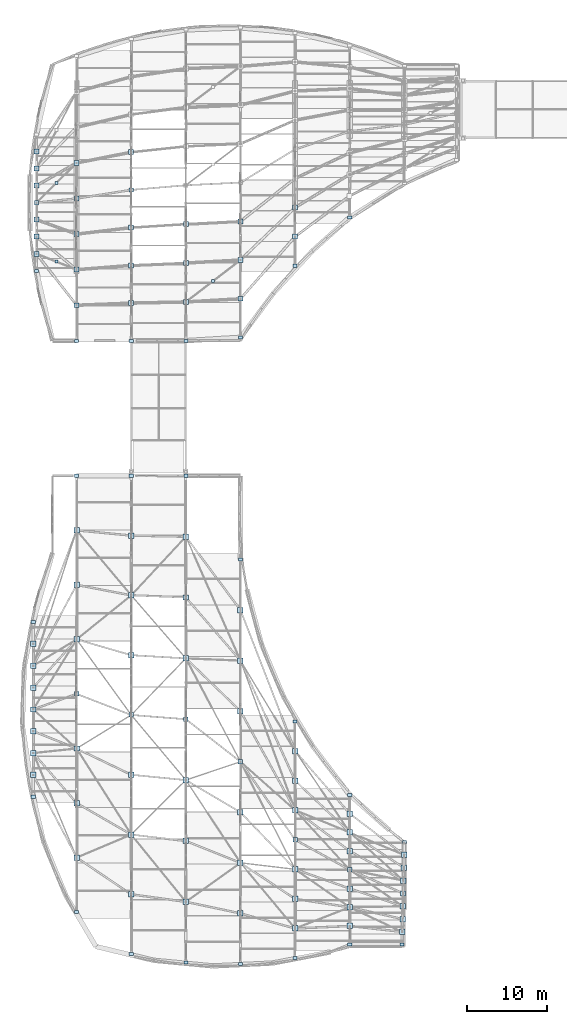
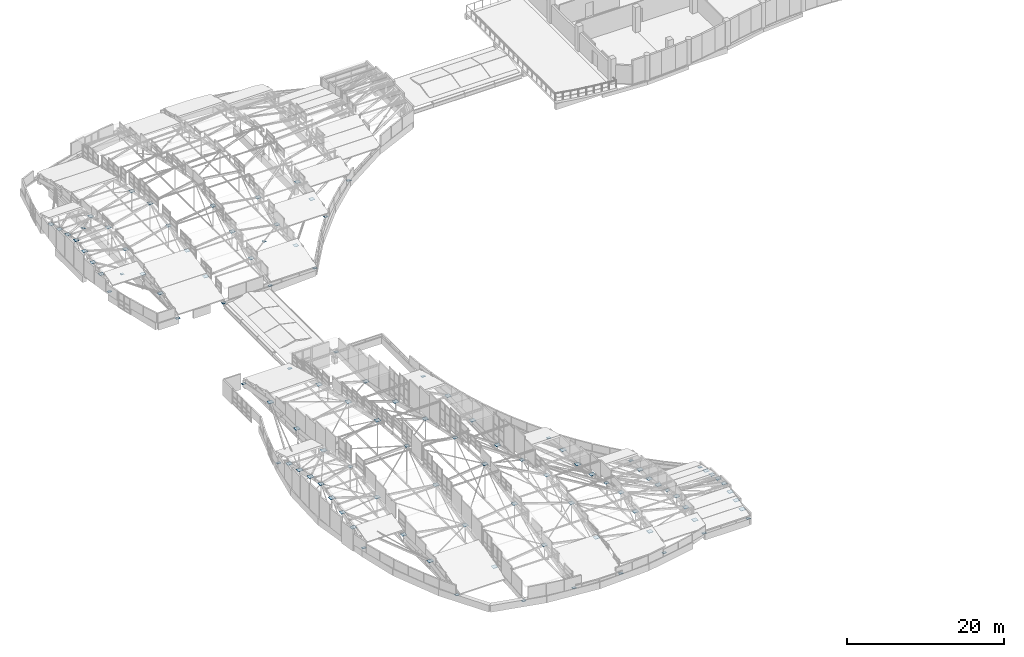
# One storey, part 170 of 188: 107 plates.
"""IFC4 building model written with IfcOpenShell, lengths in metres."""

import ifcopenshell
import ifcopenshell.guid

model = None  # the IFC model being written
_history = None  # IfcOwnerHistory: only IFC2X3 demands one
_inside = {}  # id of a spatial element -> (the spatial element, [elements in it])
_under = {}  # id of a project, library or spatial element -> (it, [spatial elements below it])
_declared = {}  # id of a project -> (the project, [libraries it declares])
_typed = {}  # id of a type object -> (the type object, [elements of that type])
_made_of = {}  # id of a material, layer set ... -> (it, [elements and type objects made of it])


def new_model(schema):
    """Start an empty IFC model of exactly this schema.

    Asked for "IFC4X3", IfcOpenShell would pick the latest addendum, in which some entities
    have other attributes; the version numbers below select the first issue.
    IFC2X3 requires an IfcOwnerHistory on every rooted entity: one is made here for all.
    """
    global model, _history
    if schema == "IFC4X3":
        model = ifcopenshell.file(schema_version=(4, 3, 0, 0))
    else:
        model = ifcopenshell.file(schema=schema)
    _inside.clear()
    _under.clear()
    _declared.clear()
    _typed.clear()
    _made_of.clear()
    _history = None
    if model.schema == "IFC2X3":
        org = make("IfcOrganization", Name="unknown")
        user = make(
            "IfcPersonAndOrganization",
            ThePerson=make("IfcPerson", FamilyName="unknown"),
            TheOrganization=org,
        )
        app = make(
            "IfcApplication",
            ApplicationDeveloper=org,
            Version="unknown",
            ApplicationFullName="unknown",
            ApplicationIdentifier="unknown",
        )
        _history = make(
            "IfcOwnerHistory",
            OwningUser=user,
            OwningApplication=app,
            ChangeAction="ADDED",
            CreationDate=0,
        )
    return model


def make(cls, **values):
    """One entity of the class cls with the attributes given. An attribute that is None is left unset."""
    return model.create_entity(
        cls, **{name: value for name, value in values.items() if value is not None}
    )


def rooted(cls, **values):
    """An entity with a GlobalId (a new one), such as an element, a storey or a relation."""
    return make(cls, GlobalId=ifcopenshell.guid.new(), OwnerHistory=_history, **values)


def si_unit(unit_type, name, prefix=None):
    """IfcSIUnit, for example si_unit("LENGTHUNIT", "METRE", prefix="MILLI")."""
    return make("IfcSIUnit", UnitType=unit_type, Prefix=prefix, Name=name)


def assignment(units):
    """IfcUnitAssignment: the units of a project."""
    return None if units is None else make("IfcUnitAssignment", Units=units)


def point(xyz):
    """IfcCartesianPoint."""
    return None if xyz is None else make("IfcCartesianPoint", Coordinates=xyz)


def direction(xyz):
    """IfcDirection."""
    return None if xyz is None else make("IfcDirection", DirectionRatios=xyz)


def frame(location, z_axis=None, x_axis=None):
    """IfcAxis2Placement3D, a coordinate frame: its origin and axes. An axis left out is left unset."""
    return make(
        "IfcAxis2Placement3D",
        Location=point(location),
        Axis=direction(z_axis),
        RefDirection=direction(x_axis),
    )


def frame_2d(location, x_axis=None):
    """IfcAxis2Placement2D, a coordinate frame in the plane: its origin and x axis."""
    return make(
        "IfcAxis2Placement2D", Location=point(location), RefDirection=direction(x_axis)
    )


def origin():
    """The frame at (0, 0, 0) with its axes left unset."""
    return frame((0.0, 0.0, 0.0))


def origin_2d():
    """The frame at (0, 0) in the plane with its x axis left unset."""
    return frame_2d((0.0, 0.0))


def place(relative_to, where):
    """IfcLocalPlacement: puts the frame where relative to a parent placement (None: the world)."""
    return make(
        "IfcLocalPlacement", PlacementRelTo=relative_to, RelativePlacement=where
    )


def context(
    kind, dimensions, precision=None, world=None, true_north=None, identifier=None
):
    """IfcGeometricRepresentationContext, for example the 3D "Model" context."""
    return make(
        "IfcGeometricRepresentationContext",
        ContextIdentifier=identifier,
        ContextType=kind,
        CoordinateSpaceDimension=dimensions,
        Precision=precision,
        WorldCoordinateSystem=world,
        TrueNorth=true_north,
    )


def subcontext(parent, identifier, kind, view, scale=None):
    """IfcGeometricRepresentationSubContext, for example "Body" below "Model"."""
    return make(
        "IfcGeometricRepresentationSubContext",
        ContextIdentifier=identifier,
        ContextType=kind,
        ParentContext=parent,
        TargetScale=scale,
        TargetView=view,
    )


def project(units=None, contexts=None):
    """IfcProject with its units and contexts."""
    return rooted(
        "IfcProject",
        Name="project",
        RepresentationContexts=contexts,
        UnitsInContext=assignment(units),
    )


def spatial(cls, under=None, at=None, **own):
    """A site, building, storey or space (cls), placed at a placement, below another one or the project."""
    s = rooted(cls, ObjectPlacement=at, **own)
    if under is not None:
        _under.setdefault(under.id(), (under, []))[1].append(s)
    return s


def profile(cls, at=None, kind="AREA", **sizes):
    """A parametric profile (cls). Its sizes go by their IFC names, for example OverallWidth=200.0."""
    return make(cls, ProfileType=kind, Position=at, **sizes)


def rectangle(**sizes):
    """IfcRectangleProfileDef."""
    return profile("IfcRectangleProfileDef", **sizes)


def extrude(swept, where, along, depth):
    """IfcExtrudedAreaSolid: the profile swept, set in the frame where, extruded along a direction by depth."""
    return make(
        "IfcExtrudedAreaSolid",
        SweptArea=swept,
        Position=where,
        ExtrudedDirection=direction(along),
        Depth=depth,
    )


def shape(context_of_items, identifier, shape_type, items):
    """IfcShapeRepresentation: the items that make up one representation, for example the "Body"."""
    return make(
        "IfcShapeRepresentation",
        ContextOfItems=context_of_items,
        RepresentationIdentifier=identifier,
        RepresentationType=shape_type,
        Items=items,
    )


def material(Name=None, Category=None):
    """IfcMaterial."""
    return make("IfcMaterial", Name=Name, Category=Category)


def layer(
    of_material, thickness, ventilated=None, Name=None, Category=None, Priority=None
):
    """IfcMaterialLayer: one layer of a wall or slab, of a material (None: an air gap)."""
    return make(
        "IfcMaterialLayer",
        Material=of_material,
        LayerThickness=thickness,
        IsVentilated=ventilated,
        Name=Name,
        Category=Category,
        Priority=Priority,
    )


def layer_set(layers, Name=None):
    """IfcMaterialLayerSet."""
    return make("IfcMaterialLayerSet", MaterialLayers=layers, LayerSetName=Name)


def made_of(thing, what):
    """Note that an element or type object is made of a material, layer set ...; save() writes the relation."""
    if what is not None:
        _made_of.setdefault(what.id(), (what, []))[1].append(thing)
    return thing


def type_object(cls, material=None, **own):
    """A type object (cls), such as IfcWallType, which elements share."""
    return made_of(rooted(cls, **own), material)


def element(
    cls,
    number,
    at=None,
    inside=None,
    cuts=None,
    type_object=None,
    material=None,
    context=None,
    identifier="Body",
    shape_type=None,
    held_by="IfcProductDefinitionShape",
    body=None,
    shapes=None,
    **own,
):
    """One element of the class cls, such as IfcWall. Its Tag is "e" and its number.

    at: its placement. inside: the storey or other place that contains it. cuts: it is an
    opening in that element (IfcRelVoidsElement). A single representation is given by context,
    identifier, shape_type and body (its items); several are given by shapes. held_by: the class
    of the entity that holds the representations. save() writes the other relations.
    """
    e = rooted(cls, Tag="e%d" % number, ObjectPlacement=at, **own)
    if body is not None:
        shapes = [shape(context, identifier, shape_type, body)]
    if shapes is not None:
        e.Representation = make(held_by, Representations=shapes)
    if inside is not None:
        _inside.setdefault(inside.id(), (inside, []))[1].append(e)
    if cuts is not None:
        rooted(
            "IfcRelVoidsElement", RelatingBuildingElement=cuts, RelatedOpeningElement=e
        )
    if type_object is not None:
        _typed.setdefault(type_object.id(), (type_object, []))[1].append(e)
    return made_of(e, material)


def aggregate(whole, parts):
    """IfcRelAggregates: a whole, such as a stair, and the parts it consists of."""
    return rooted("IfcRelAggregates", RelatingObject=whole, RelatedObjects=parts)


def save(model, path):
    """Write the relations noted so far, then the file.

    IfcRelAggregates (storeys below a building ...), IfcRelContainedInSpatialStructure (elements
    in a storey), IfcRelDefinesByType, IfcRelAssociatesMaterial and IfcRelDeclares: one each for
    every whole, place, type object, material and project.
    """
    for whole, parts in _under.values():
        aggregate(whole, parts)
    for where, things in _inside.values():
        rooted(
            "IfcRelContainedInSpatialStructure",
            RelatedElements=things,
            RelatingStructure=where,
        )
    for kind, things in _typed.values():
        rooted("IfcRelDefinesByType", RelatedObjects=things, RelatingType=kind)
    for what, things in _made_of.values():
        rooted("IfcRelAssociatesMaterial", RelatedObjects=things, RelatingMaterial=what)
    for by, libraries in _declared.values():
        rooted("IfcRelDeclares", RelatingContext=by, RelatedDefinitions=libraries)
    model.write(path)


model = new_model("IFC4")

# Units and contexts
model_context = context("Model", 3, precision=1e-05, world=origin(), true_north=direction((0.0, 1.0)))
body_context = subcontext(model_context, "Body", "Model", "MODEL_VIEW")
ifc_project = project(units=[si_unit("LENGTHUNIT", "METRE"), si_unit("AREAUNIT", "SQUARE_METRE"), si_unit("VOLUMEUNIT", "CUBIC_METRE"), si_unit("PLANEANGLEUNIT", "RADIAN"), si_unit("MASSUNIT", "GRAM", prefix="KILO")], contexts=[model_context])

# Site, building, storey
site_placement = place(None, origin())
site = spatial("IfcSite", under=ifc_project, at=site_placement, CompositionType="ELEMENT")
building_placement = place(site_placement, origin())
building = spatial("IfcBuilding", under=site, at=building_placement, Name="Kisaragi Civic Commons", CompositionType="ELEMENT")
storey_placement = place(building_placement, frame((0.0, 0.0, 9.60009765625)))
storey = spatial("IfcBuildingStorey", under=building, at=storey_placement, Name="L02", CompositionType="ELEMENT", Elevation=9.60009765625)

# Plates
ifc_material = material(Name="Steel SN490 (SN490B)", Category="steel")
ifc_layer_1 = layer(ifc_material, 0.01806640625, Name="Steel SN490 (SN490B)", Category="steel")
ifc_layer_set_1 = layer_set([ifc_layer_1], Name="Steel SN490 (SN490B)")
plate_type_1 = type_object("IfcPlateType", Name="GP-02", PredefinedType="SHEET", material=ifc_layer_set_1)
for number, where, z_axis, x_axis, name in (
    (1, (4.300048828125, 89.04736328125, 1.08056640625), (0.0, 0.0, 1.0), (1.0, 0.0, 0.0), "V2 gridshell brace crossing gusset GP-02 1"),
    (2, (4.300048828125, 98.872314453125, 2.233154296875), (0.0, 0.0, 1.0), (1.0, 0.0, 0.0), "V2 gridshell brace crossing gusset GP-02 2"),
    (3, (23.800048828125, 86.64990234375, 0.773681640625), (0.0, 0.0, 1.0), (1.0, 0.0, 0.0), "V2 gridshell brace crossing gusset GP-02 4"),
):
    element("IfcPlate", number, at=place(storey_placement, frame(where, z_axis=z_axis, x_axis=x_axis)), inside=storey, type_object=plate_type_1, Name=name, PredefinedType="SHEET", context=body_context, shape_type="SweptSolid", body=[
        extrude(rectangle(XDim=0.3798828125, YDim=0.3798828125, at=origin_2d()), origin(), (0.0, 0.0, 1.0), 0.01806640625),
    ])
ifc_layer_2 = layer(ifc_material, 0.031982421875, Name="Steel SN490 (SN490B)", Category="steel")
ifc_layer_set_2 = layer_set([ifc_layer_2], Name="Steel SN490 (SN490B)")
plate_type_2 = type_object("IfcPlateType", Name="ND-01", PredefinedType="SHEET", material=ifc_layer_set_2)
for number, where, z_axis, x_axis, name in (
    (4, (1.39990234375, 25.15771484375, 1.435546875), (0.0, 0.0, 1.0), (1.0, 0.0, 0.0), "V1 gridshell star-node plate ND-01 2"),
    (5, (1.39990234375, 27.876953125, 2.11083984375), (0.0, 0.0, 1.0), (1.0, 0.0, 0.0), "V1 gridshell star-node plate ND-01 3"),
    (6, (1.39990234375, 30.59619140625, 2.7138671875), (0.0, 0.0, 1.0), (1.0, 0.0, 0.0), "V1 gridshell star-node plate ND-01 4"),
    (7, (1.39990234375, 36.03466796875, 2.7138671875), (0.0, 0.0, 1.0), (1.0, 0.0, 0.0), "V1 gridshell star-node plate ND-01 6"),
    (8, (1.39990234375, 38.75390625, 2.11083984375), (0.0, 0.0, 1.0), (1.0, 0.0, 0.0), "V1 gridshell star-node plate ND-01 7"),
    (9, (1.39990234375, 41.47314453125, 1.435546875), (0.0, 0.0, 1.0), (1.0, 0.0, 0.0), "V1 gridshell star-node plate ND-01 8"),
    (10, (6.800048828125, 14.86669921875, 0.55126953125), (0.0, 0.0, 1.0), (1.0, 0.0, 0.0), "V1 gridshell star-node plate ND-01 11"),
    (11, (6.800048828125, 21.6572265625, 0.55126953125), (0.0, 0.0, 1.0), (1.0, 0.0, 0.0), "V1 gridshell star-node plate ND-01 12"),
    (12, (6.800048828125, 28.447509765625, 2.2373046875), (0.0, 0.0, 1.0), (1.0, 0.0, 0.0), "V1 gridshell star-node plate ND-01 13"),
    (13, (6.800048828125, 42.028564453125, 1.2900390625), (0.0, 0.0, 1.0), (1.0, 0.0, 0.0), "V1 gridshell star-node plate ND-01 15"),
    (14, (6.800048828125, 48.819091796875, 0.55126953125), (0.0, 0.0, 1.0), (1.0, 0.0, 0.0), "V1 gridshell star-node plate ND-01 16"),
    (15, (6.800048828125, 55.609619140625, 0.55126953125), (0.0, 0.0, 1.0), (1.0, 0.0, 0.0), "V1 gridshell star-node plate ND-01 17"),
    (16, (13.60009765625, 10.28564453125, 0.04443359375), (0.0, 0.0, 1.0), (1.0, 0.0, 0.0), "V1 gridshell star-node plate ND-01 20"),
    (17, (13.60009765625, 17.73046875, 2.01806640625), (0.0, 0.0, 1.0), (1.0, 0.0, 0.0), "V1 gridshell star-node plate ND-01 21"),
    (18, (13.60009765625, 25.17529296875, 3.77001953125), (0.0, 0.0, 1.0), (1.0, 0.0, 0.0), "V1 gridshell star-node plate ND-01 22"),
    (19, (13.60009765625, 40.065185546875, 4.7529296875), (0.0, 0.0, 1.0), (1.0, 0.0, 0.0), "V1 gridshell star-node plate ND-01 24"),
    (20, (13.60009765625, 47.51025390625, 3.142578125), (0.0, 0.0, 1.0), (1.0, 0.0, 0.0), "V1 gridshell star-node plate ND-01 25"),
    (21, (13.60009765625, 54.955078125, 1.3125), (0.0, 0.0, 1.0), (1.0, 0.0, 0.0), "V1 gridshell star-node plate ND-01 26"),
    (22, (20.39990234375, 9.357421875, 1.6298828125), (0.0, 0.0, 1.0), (1.0, 0.0, 0.0), "V1 gridshell star-node plate ND-01 29"),
    (23, (20.39990234375, 16.93505859375, 3.44873046875), (0.0, 0.0, 1.0), (1.0, 0.0, 0.0), "V1 gridshell star-node plate ND-01 30"),
    (24, (20.39990234375, 24.512451171875, 5.02783203125), (0.0, 0.0, 1.0), (1.0, 0.0, 0.0), "V1 gridshell star-node plate ND-01 31"),
    (25, (20.39990234375, 39.66748046875, 2.859375), (0.0, 0.0, 1.0), (1.0, 0.0, 0.0), "V1 gridshell star-node plate ND-01 33"),
    (26, (20.39990234375, 47.2451171875, 0.93603515625), (0.0, 0.0, 1.0), (1.0, 0.0, 0.0), "V1 gridshell star-node plate ND-01 34"),
    (27, (20.39990234375, 54.822509765625, -0.515625), (0.0, 0.0, 1.0), (1.0, 0.0, 0.0), "V1 gridshell star-node plate ND-01 35"),
    (28, (27.199951171875, 7.9169921875, 1.2705078125), (0.0, 0.0, 1.0), (1.0, 0.0, 0.0), "V1 gridshell star-node plate ND-01 38"),
    (29, (27.199951171875, 14.21142578125, 2.84033203125), (0.0, 0.0, 1.0), (1.0, 0.0, 0.0), "V1 gridshell star-node plate ND-01 39"),
    (30, (27.199951171875, 20.506103515625, 3.3359375), (0.0, 0.0, 1.0), (1.0, 0.0, 0.0), "V1 gridshell star-node plate ND-01 40"),
    (31, (27.199951171875, 33.09521484375, 0.39990234375), (0.0, 0.0, 1.0), (1.0, 0.0, 0.0), "V1 gridshell star-node plate ND-01 42"),
    (32, (27.199951171875, 39.389892578125, 0.39990234375), (0.0, 0.0, 1.0), (1.0, 0.0, 0.0), "V1 gridshell star-node plate ND-01 43"),
    (33, (27.199951171875, 45.684326171875, 0.39990234375), (0.0, 0.0, 1.0), (1.0, 0.0, 0.0), "V1 gridshell star-node plate ND-01 44"),
    (34, (34.0, 6.0400390625, 0.9697265625), (0.0, 0.0, 1.0), (1.0, 0.0, 0.0), "V1 gridshell star-node plate ND-01 47"),
    (35, (34.0, 9.7216796875, 1.8564453125), (0.0, 0.0, 1.0), (1.0, 0.0, 0.0), "V1 gridshell star-node plate ND-01 48"),
    (36, (34.0, 13.4033203125, 2.5869140625), (0.0, 0.0, 1.0), (1.0, 0.0, 0.0), "V1 gridshell star-node plate ND-01 49"),
    (37, (34.0, 20.7666015625, 0.9365234375), (0.0, 0.0, 1.0), (1.0, 0.0, 0.0), "V1 gridshell star-node plate ND-01 51"),
    (38, (34.0, 24.4482421875, 0.2705078125), (0.0, 0.0, 1.0), (1.0, 0.0, 0.0), "V1 gridshell star-node plate ND-01 52"),
    (39, (34.0, 28.1298828125, 0.2705078125), (0.0, 0.0, 1.0), (1.0, 0.0, 0.0), "V1 gridshell star-node plate ND-01 53"),
    (40, (40.800048828125, 6.35107421875, 0.2001953125), (0.0, 0.0, 1.0), (1.0, 0.0, 0.0), "V1 gridshell star-node plate ND-01 56"),
    (41, (40.800048828125, 8.681884765625, 0.74609375), (0.0, 0.0, 1.0), (1.0, 0.0, 0.0), "V1 gridshell star-node plate ND-01 57"),
    (42, (40.800048828125, 11.012939453125, 1.05419921875), (0.0, 0.0, 1.0), (1.0, 0.0, 0.0), "V1 gridshell star-node plate ND-01 58"),
    (43, (40.800048828125, 15.675048828125, -0.005859375), (0.0, 0.0, 1.0), (1.0, 0.0, 0.0), "V1 gridshell star-node plate ND-01 60"),
    (44, (40.800048828125, 18.006103515625, -0.45654296875), (0.0, 0.0, 1.0), (1.0, 0.0, 0.0), "V1 gridshell star-node plate ND-01 61"),
    (45, (40.800048828125, 20.3369140625, -0.45654296875), (0.0, 0.0, 1.0), (1.0, 0.0, 0.0), "V1 gridshell star-node plate ND-01 62"),
    (46, (47.33740234375, 5.617431640625, 0.015625), (0.0, 0.0, 1.0), (1.0, 0.0, 0.0), "V1 gridshell star-node plate ND-01 65"),
    (47, (47.375, 7.215087890625, 0.41552734375), (0.0, 0.0, 1.0), (1.0, 0.0, 0.0), "V1 gridshell star-node plate ND-01 66"),
    (48, (47.41259765625, 8.8125, 0.77490234375), (0.0, 0.0, 1.0), (1.0, 0.0, 0.0), "V1 gridshell star-node plate ND-01 67"),
    (49, (47.487548828125, 12.007568359375, 0.86083984375), (0.0, 0.0, 1.0), (1.0, 0.0, 0.0), "V1 gridshell star-node plate ND-01 69"),
    (50, (47.52490234375, 13.60498046875, 0.50830078125), (0.0, 0.0, 1.0), (1.0, 0.0, 0.0), "V1 gridshell star-node plate ND-01 70"),
    (51, (47.5625, 15.202392578125, 0.115234375), (0.0, 0.0, 1.0), (1.0, 0.0, 0.0), "V1 gridshell star-node plate ND-01 71"),
):
    element("IfcPlate", number, at=place(storey_placement, frame(where, z_axis=z_axis, x_axis=x_axis)), inside=storey, type_object=plate_type_2, Name=name, PredefinedType="SHEET", context=body_context, shape_type="SweptSolid", body=[
        extrude(rectangle(XDim=0.679931640625, YDim=0.679931640625, at=origin_2d()), origin(), (0.0, 0.0, 1.0), 0.031982421875),
    ])
ifc_layer_3 = layer(ifc_material, 0.029052734375, Name="Steel SN490 (SN490B)", Category="steel")
ifc_layer_set_3 = layer_set([ifc_layer_3], Name="Steel SN490 (SN490B)")
plate_type_3 = type_object("IfcPlateType", Name="ND-02", PredefinedType="SHEET", material=ifc_layer_set_3)
for number, where, z_axis, x_axis, name in (
    (52, (1.800048828125, 90.037109375, 1.34521484375), (0.0, 0.0, 1.0), (1.0, 0.0, 0.0), "V2 gridshell star-node plate ND-02 2"),
    (53, (1.800048828125, 92.158203125, 1.87109375), (0.0, 0.0, 1.0), (1.0, 0.0, 0.0), "V2 gridshell star-node plate ND-02 3"),
    (54, (1.800048828125, 94.279052734375, 2.34130859375), (0.0, 0.0, 1.0), (1.0, 0.0, 0.0), "V2 gridshell star-node plate ND-02 4"),
    (55, (1.800048828125, 98.52099609375, 2.34130859375), (0.0, 0.0, 1.0), (1.0, 0.0, 0.0), "V2 gridshell star-node plate ND-02 6"),
    (56, (1.800048828125, 100.641845703125, 1.87109375), (0.0, 0.0, 1.0), (1.0, 0.0, 0.0), "V2 gridshell star-node plate ND-02 7"),
    (57, (1.800048828125, 102.7626953125, 1.34521484375), (0.0, 0.0, 1.0), (1.0, 0.0, 0.0), "V2 gridshell star-node plate ND-02 8"),
    (58, (6.800048828125, 83.62890625, 0.48095703125), (0.0, 0.0, 1.0), (1.0, 0.0, 0.0), "V2 gridshell star-node plate ND-02 11"),
    (59, (6.800048828125, 88.0576171875, 0.8046875), (0.0, 0.0, 1.0), (1.0, 0.0, 0.0), "V2 gridshell star-node plate ND-02 12"),
    (60, (6.800048828125, 92.486572265625, 1.94384765625), (0.0, 0.0, 1.0), (1.0, 0.0, 0.0), "V2 gridshell star-node plate ND-02 13"),
    (61, (6.800048828125, 101.344482421875, 1.69873046875), (0.0, 0.0, 1.0), (1.0, 0.0, 0.0), "V2 gridshell star-node plate ND-02 15"),
    (62, (13.60009765625, 83.896240234375, 0.5546875), (0.0, 0.0, 1.0), (1.0, 0.0, 0.0), "V2 gridshell star-node plate ND-02 20"),
    (63, (13.60009765625, 88.592529296875, 1.720703125), (0.0, 0.0, 1.0), (1.0, 0.0, 0.0), "V2 gridshell star-node plate ND-02 21"),
    (64, (13.60009765625, 93.288818359375, 2.75341796875), (0.0, 0.0, 1.0), (1.0, 0.0, 0.0), "V2 gridshell star-node plate ND-02 22"),
    (65, (13.60009765625, 102.681396484375, 2.42529296875), (0.0, 0.0, 1.0), (1.0, 0.0, 0.0), "V2 gridshell star-node plate ND-02 24"),
    (66, (20.39990234375, 84.041748046875, 0.91015625), (0.0, 0.0, 1.0), (1.0, 0.0, 0.0), "V2 gridshell star-node plate ND-02 29"),
    (67, (20.39990234375, 88.883544921875, 2.12353515625), (0.0, 0.0, 1.0), (1.0, 0.0, 0.0), "V2 gridshell star-node plate ND-02 30"),
    (68, (20.39990234375, 93.725341796875, 3.2060546875), (0.0, 0.0, 1.0), (1.0, 0.0, 0.0), "V2 gridshell star-node plate ND-02 31"),
    (69, (27.199951171875, 84.436279296875, 0.28955078125), (0.0, 0.0, 1.0), (1.0, 0.0, 0.0), "V2 gridshell star-node plate ND-02 38"),
    (70, (27.199951171875, 89.258056640625, 0.62646484375), (0.0, 0.0, 1.0), (1.0, 0.0, 0.0), "V2 gridshell star-node plate ND-02 39"),
    (71, (27.199951171875, 94.079833984375, 1.90185546875), (0.0, 0.0, 1.0), (1.0, 0.0, 0.0), "V2 gridshell star-node plate ND-02 40"),
    (72, (34.0, 92.169189453125, 0.4189453125), (0.0, 0.0, 1.0), (1.0, 0.0, 0.0), "V2 gridshell star-node plate ND-02 47"),
    (73, (34.0, 95.794677734375, 0.8984375), (0.0, 0.0, 1.0), (1.0, 0.0, 0.0), "V2 gridshell star-node plate ND-02 48"),
):
    element("IfcPlate", number, at=place(storey_placement, frame(where, z_axis=z_axis, x_axis=x_axis)), inside=storey, type_object=plate_type_3, Name=name, PredefinedType="SHEET", context=body_context, shape_type="SweptSolid", body=[
        extrude(rectangle(XDim=0.6201171875, YDim=0.6201171875, at=origin_2d()), origin(), (0.0, 0.0, 1.0), 0.029052734375),
    ])
ifc_layer_4 = layer(ifc_material, 0.02587890625, Name="Steel SN490 (SN490B)", Category="steel")
ifc_layer_set_4 = layer_set([ifc_layer_4], Name="Steel SN490 (SN490B)")
plate_type_4 = type_object("IfcPlateType", Name="ND-03", PredefinedType="SHEET", material=ifc_layer_set_4)
for number, where, z_axis, x_axis, name in (
    (74, (6.800048828125, 35.238037109375, 2.874267578125), (0.0, 0.0, 1.0), (1.0, 0.0, 0.0), "V1 gridshell star-node plate ND-03 14"),
    (75, (13.60009765625, 32.620361328125, 5.30615234375), (0.0, 0.0, 1.0), (1.0, 0.0, 0.0), "V1 gridshell star-node plate ND-03 23"),
    (76, (20.39990234375, 32.090087890625, 4.516357421875), (0.0, 0.0, 1.0), (1.0, 0.0, 0.0), "V1 gridshell star-node plate ND-03 32"),
    (77, (27.199951171875, 26.800537109375, 1.88525390625), (0.0, 0.0, 1.0), (1.0, 0.0, 0.0), "V1 gridshell star-node plate ND-03 41"),
    (78, (34.0, 17.0849609375, 1.8330078125), (0.0, 0.0, 1.0), (1.0, 0.0, 0.0), "V1 gridshell star-node plate ND-03 50"),
    (79, (40.800048828125, 13.343994140625, 0.569091796875), (0.0, 0.0, 1.0), (1.0, 0.0, 0.0), "V1 gridshell star-node plate ND-03 59"),
):
    element("IfcPlate", number, at=place(storey_placement, frame(where, z_axis=z_axis, x_axis=x_axis)), inside=storey, type_object=plate_type_4, Name=name, PredefinedType="SHEET", context=body_context, shape_type="SweptSolid", body=[
        extrude(rectangle(XDim=0.56005859375, YDim=0.56005859375, at=origin_2d()), origin(), (0.0, 0.0, 1.0), 0.02587890625),
    ])
ifc_layer_5 = layer(ifc_material, 0.02294921875, Name="Steel SN490 (SN490B)", Category="steel")
ifc_layer_set_5 = layer_set([ifc_layer_5], Name="Steel SN490 (SN490B)")
plate_type_5 = type_object("IfcPlateType", Name="ND-04", PredefinedType="SHEET", material=ifc_layer_set_5)
for number, where, z_axis, x_axis, name in (
    (80, (1.39990234375, 22.4384765625, -0.091552734375), (0.0, 0.0, 1.0), (1.0, 0.0, 0.0), "V1 gridshell star-node plate ND-04 1"),
    (81, (1.39990234375, 44.1923828125, -0.091552734375), (0.0, 0.0, 1.0), (1.0, 0.0, 0.0), "V1 gridshell star-node plate ND-04 9"),
    (82, (6.800048828125, 8.076171875, -0.56396484375), (0.0, 0.0, 1.0), (1.0, 0.0, 0.0), "V1 gridshell star-node plate ND-04 10"),
    (83, (6.800048828125, 62.39990234375, -0.70263671875), (0.0, 0.0, 1.0), (1.0, 0.0, 0.0), "V1 gridshell star-node plate ND-04 18"),
    (84, (13.60009765625, 2.8408203125, -0.70263671875), (0.0, 0.0, 1.0), (1.0, 0.0, 0.0), "V1 gridshell star-node plate ND-04 19"),
    (85, (13.60009765625, 62.39990234375, -0.70263671875), (0.0, 0.0, 1.0), (1.0, 0.0, 0.0), "V1 gridshell star-node plate ND-04 27"),
    (86, (20.39990234375, 1.780029296875, -0.4267578125), (0.0, 0.0, 1.0), (1.0, 0.0, 0.0), "V1 gridshell star-node plate ND-04 28"),
    (87, (20.39990234375, 62.39990234375, -0.510986328125), (0.0, 0.0, 1.0), (1.0, 0.0, 0.0), "V1 gridshell star-node plate ND-04 36"),
    (88, (27.199951171875, 1.622314453125, -0.470458984375), (0.0, 0.0, 1.0), (1.0, 0.0, 0.0), "V1 gridshell star-node plate ND-04 37"),
    (89, (27.199951171875, 51.97900390625, -0.372314453125), (0.0, 0.0, 1.0), (1.0, 0.0, 0.0), "V1 gridshell star-node plate ND-04 45"),
    (90, (34.0, 2.3583984375, -0.091552734375), (0.0, 0.0, 1.0), (1.0, 0.0, 0.0), "V1 gridshell star-node plate ND-04 46"),
    (91, (34.0, 31.811279296875, -0.091552734375), (0.0, 0.0, 1.0), (1.0, 0.0, 0.0), "V1 gridshell star-node plate ND-04 54"),
    (92, (40.800048828125, 4.02001953125, -0.422607421875), (0.0, 0.0, 1.0), (1.0, 0.0, 0.0), "V1 gridshell star-node plate ND-04 55"),
    (93, (40.800048828125, 22.66796875, -0.4521484375), (0.0, 0.0, 1.0), (1.0, 0.0, 0.0), "V1 gridshell star-node plate ND-04 63"),
    (94, (47.300048828125, 4.02001953125, -0.422607421875), (0.0, 0.0, 1.0), (1.0, 0.0, 0.0), "V1 gridshell star-node plate ND-04 64"),
    (95, (47.60009765625, 16.800048828125, -0.3134765625), (0.0, 0.0, 1.0), (1.0, 0.0, 0.0), "V1 gridshell star-node plate ND-04 72"),
    (96, (1.800048828125, 87.916259765625, -0.091552734375), (0.0, 0.0, 1.0), (1.0, 0.0, 0.0), "V2 gridshell star-node plate ND-04 1"),
    (97, (6.800048828125, 79.199951171875, -0.710693359375), (0.0, 0.0, 1.0), (1.0, 0.0, 0.0), "V2 gridshell star-node plate ND-04 10"),
    (98, (13.60009765625, 79.199951171875, -0.710693359375), (0.0, 0.0, 1.0), (1.0, 0.0, 0.0), "V2 gridshell star-node plate ND-04 19"),
    (99, (20.39990234375, 79.199951171875, -0.396484375), (0.0, 0.0, 1.0), (1.0, 0.0, 0.0), "V2 gridshell star-node plate ND-04 28"),
    (100, (27.199951171875, 79.614501953125, -0.314697265625), (0.0, 0.0, 1.0), (1.0, 0.0, 0.0), "V2 gridshell star-node plate ND-04 37"),
    (101, (34.0, 88.544189453125, -0.091552734375), (0.0, 0.0, 1.0), (1.0, 0.0, 0.0), "V2 gridshell star-node plate ND-04 46"),
    (102, (40.800048828125, 94.565185546875, -0.493408203125), (0.0, 0.0, 1.0), (1.0, 0.0, 0.0), "V2 gridshell star-node plate ND-04 55"),
):
    element("IfcPlate", number, at=place(storey_placement, frame(where, z_axis=z_axis, x_axis=x_axis)), inside=storey, type_object=plate_type_5, Name=name, PredefinedType="SHEET", context=body_context, shape_type="SweptSolid", body=[
        extrude(rectangle(XDim=0.52001953125, YDim=0.3798828125, at=origin_2d()), origin(), (0.0, 0.0, 1.0), 0.02294921875),
    ])
ifc_layer_6 = layer(ifc_material, 0.02490234375, Name="Steel SN490 (SN490B)", Category="steel")
ifc_layer_set_6 = layer_set([ifc_layer_6], Name="Steel SN490 (SN490B)")
plate_type_6 = type_object("IfcPlateType", Name="ND-05", PredefinedType="SHEET", material=ifc_layer_set_6)
plate_placement = place(storey_placement, frame((6.800048828125, 96.91552734375, 2.658447265625), z_axis=(0.0, 0.0, 1.0), x_axis=(1.0, 0.0, 0.0)))
element("IfcPlate", 103, at=plate_placement, inside=storey, type_object=plate_type_6, Name="V2 gridshell star-node plate ND-05 14", PredefinedType="SHEET", context=body_context, shape_type="SweptSolid", body=[
    extrude(rectangle(XDim=0.580078125, YDim=0.580078125, at=origin_2d()), origin(), (0.0, 0.0, 1.0), 0.02490234375),
])
ifc_layer_7 = layer(ifc_material, 0.033935546875, Name="Steel SN490 (SN490B)", Category="steel")
ifc_layer_set_7 = layer_set([ifc_layer_7], Name="Steel SN490 (SN490B)")
plate_type_7 = type_object("IfcPlateType", Name="ND-07", PredefinedType="SHEET", material=ifc_layer_set_7)
for number, where, z_axis, x_axis, name in (
    (104, (1.39990234375, 33.3154296875, 3.244140625), (0.0, 0.0, 1.0), (1.0, 0.0, 0.0), "V1 gridshell star-node plate ND-07 5"),
    (105, (47.449951171875, 10.409912109375, 1.09375), (0.0, 0.0, 1.0), (1.0, 0.0, 0.0), "V1 gridshell star-node plate ND-07 68"),
):
    element("IfcPlate", number, at=place(storey_placement, frame(where, z_axis=z_axis, x_axis=x_axis)), inside=storey, type_object=plate_type_7, Name=name, PredefinedType="SHEET", context=body_context, shape_type="SweptSolid", body=[
        extrude(rectangle(XDim=0.639892578125, YDim=0.639892578125, at=origin_2d()), origin(), (0.0, 0.0, 1.0), 0.033935546875),
    ])
ifc_layer_8 = layer(ifc_material, 0.027099609375, Name="Steel SN490 (SN490B)", Category="steel")
ifc_layer_set_8 = layer_set([ifc_layer_8], Name="Steel SN490 (SN490B)")
plate_type_8 = type_object("IfcPlateType", Name="ND-08", PredefinedType="SHEET", material=ifc_layer_set_8)
for number, where, z_axis, x_axis, name in (
    (106, (1.800048828125, 96.39990234375, 2.75732421875), (0.0, 0.0, 1.0), (1.0, 0.0, 0.0), "V2 gridshell star-node plate ND-08 5"),
    (107, (13.60009765625, 97.985107421875, 3.3720703125), (0.0, 0.0, 1.0), (1.0, 0.0, 0.0), "V2 gridshell star-node plate ND-08 23"),
):
    element("IfcPlate", number, at=place(storey_placement, frame(where, z_axis=z_axis, x_axis=x_axis)), inside=storey, type_object=plate_type_8, Name=name, PredefinedType="SHEET", context=body_context, shape_type="SweptSolid", body=[
        extrude(rectangle(XDim=0.5400390625, YDim=0.5400390625, at=origin_2d()), origin(), (0.0, 0.0, 1.0), 0.027099609375),
    ])

save(model, "model.ifc")
